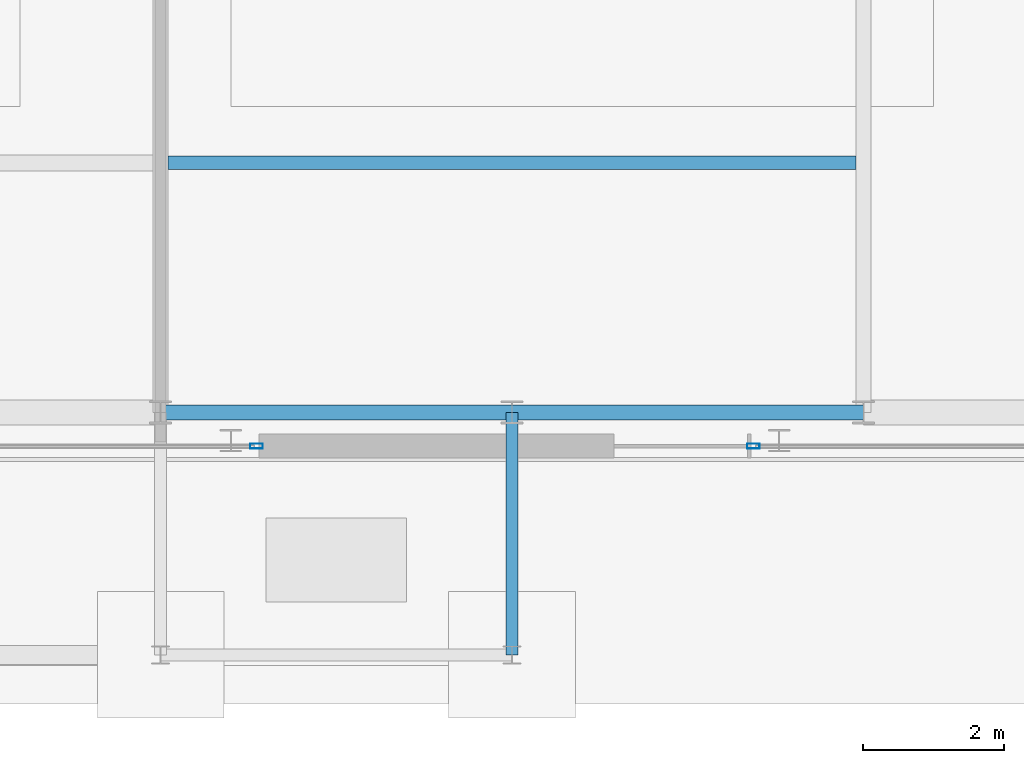
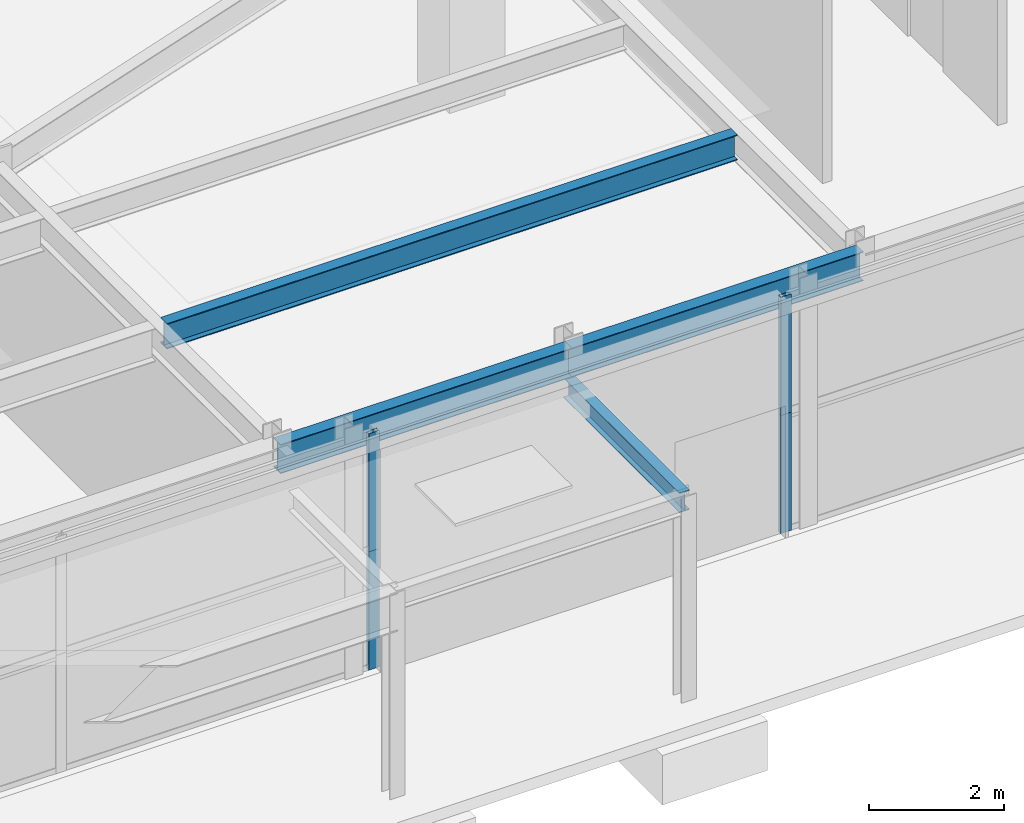
# One storey, part 14 of 29: 4 beams, 4 members, 4 elements without a shape of their own.
"""IFC4 building model written with IfcOpenShell, lengths in metres."""

from ifc_helpers import new_model, si_unit, direction, frame, origin, origin_2d, place, context, subcontext, project, spatial, hollow_rectangle, i_section, extrude, source, transform, mapped, material, layer, layer_set, material_profile, profile_set, type_object, element, aggregate, save


model = new_model("IFC4")

# Units and contexts
model_context = context("Model", 3, precision=1e-05, world=origin(), true_north=direction((0.0, 1.0)))
body_context = subcontext(model_context, "Body", "Model", "MODEL_VIEW")
ifc_project = project(units=[si_unit("LENGTHUNIT", "METRE"), si_unit("AREAUNIT", "SQUARE_METRE"), si_unit("VOLUMEUNIT", "CUBIC_METRE"), si_unit("PLANEANGLEUNIT", "RADIAN"), si_unit("MASSUNIT", "GRAM", prefix="KILO")], contexts=[model_context])

# Site, building, storey
site_placement = place(None, origin())
site = spatial("IfcSite", under=ifc_project, at=site_placement, CompositionType="ELEMENT")
building_placement = place(site_placement, origin())
building = spatial("IfcBuilding", under=site, at=building_placement, Name="Taldren Reach Tower", CompositionType="ELEMENT")
storey_placement = place(building_placement, origin())
storey = spatial("IfcBuildingStorey", under=building, at=storey_placement, Name="L00", CompositionType="ELEMENT", Elevation=0.0)

# Beams
ifc_material_1 = material(Name="Steel Gr 350 (350PLUS)", Category="steel")
ifc_material_profile_1 = material_profile(ifc_material_1, i_section(OverallWidth=0.208984375, OverallDepth=0.528076171875, WebThickness=0.009521484375, FlangeThickness=0.01318359375, at=origin_2d()), Name="530UB82.0")
ifc_profile_set_1 = profile_set([ifc_material_profile_1], Name="Steel Gr 350 (350PLUS)")
beam_type_1 = type_object("IfcBeamType", Name="SP-UB530B", PredefinedType="SPANDREL", material=ifc_profile_set_1)
shared_shape_1 = source(origin(), body_context, "Body", "SweptSolid", [
    extrude(i_section(OverallWidth=0.208984375, OverallDepth=0.528076171875, WebThickness=0.009521484375, FlangeThickness=0.01318359375, at=origin_2d()), origin(), (0.0, 0.0, 1.0), 5.0),
])
for number, where, z_axis, x_axis, name in (
    (1, (42.0, 0.64990234375, 4.02587890625), (1.0, 0.0, 0.0), (0.0, 1.0, 0.0), "Podium beam L00-PD05"),
    (2, (47.0, 0.64990234375, 4.02587890625), (1.0, 0.0, 0.0), (0.0, 1.0, 0.0), "Podium beam L00-PD06"),
):
    element("IfcBeam", number, at=place(storey_placement, frame(where, z_axis=z_axis, x_axis=x_axis)), inside=storey, type_object=beam_type_1, Name=name, PredefinedType="SPANDREL", context=body_context, shape_type="MappedRepresentation", body=[
        mapped(shared_shape_1, transform((0.0, 0.0, 0.0), scale=1.0)),
    ])
ifc_material_profile_2 = material_profile(ifc_material_1, i_section(OverallWidth=0.19091796875, OverallDepth=0.4599609375, WebThickness=0.010009765625, FlangeThickness=0.01611328125, at=origin_2d()), Name="460UB82.1")
ifc_profile_set_2 = profile_set([ifc_material_profile_2], Name="Steel Gr 350 (350PLUS)")
beam_type_2 = type_object("IfcBeamType", Name="BM-UB460A", PredefinedType="BEAM", material=ifc_profile_set_2)
shared_shape_2 = source(origin(), body_context, "Body", "SweptSolid", [
    extrude(i_section(OverallWidth=0.19091796875, OverallDepth=0.4599609375, WebThickness=0.010009765625, FlangeThickness=0.01611328125, at=origin_2d()), origin(), (0.0, 0.0, 1.0), 9.791015625),
])
beam_1_placement = place(storey_placement, frame((42.1044921875, 4.199951171875, 4.06005859375), z_axis=(1.0, 0.0, 0.0), x_axis=(0.0, 1.0, 0.0)))
element("IfcBeam", 3, at=beam_1_placement, inside=storey, type_object=beam_type_2, Name="Podium composite floor beam L00-1.3", PredefinedType="BEAM", context=body_context, shape_type="MappedRepresentation", body=[
    mapped(shared_shape_2, transform((0.0, 0.0, 0.0), scale=1.0)),
])
ifc_material_profile_3 = material_profile(ifc_material_1, i_section(OverallWidth=0.172119140625, OverallDepth=0.35888671875, WebThickness=0.008056640625, FlangeThickness=0.012939453125, at=origin_2d()), Name="360UB56.7")
ifc_profile_set_3 = profile_set([ifc_material_profile_3], Name="Steel Gr 350 (350PLUS)")
beam_type_3 = type_object("IfcBeamType", Name="SP-UB360", PredefinedType="SPANDREL", material=ifc_profile_set_3)
shared_shape_3 = source(origin(), body_context, "Body", "SweptSolid", [
    extrude(i_section(OverallWidth=0.172119140625, OverallDepth=0.35888671875, WebThickness=0.008056640625, FlangeThickness=0.012939453125, at=origin_2d()), origin(), (0.0, 0.0, 1.0), 3.449951171875),
])
beam_2_placement = place(storey_placement, frame((47.0, 0.64990234375, 3.54052734375), z_axis=(0.0, -1.0, 0.0), x_axis=(1.0, 0.0, 0.0)))
element("IfcBeam", 4, at=beam_2_placement, inside=storey, type_object=beam_type_3, Name="South canopy beam 47", PredefinedType="SPANDREL", context=body_context, shape_type="MappedRepresentation", body=[
    mapped(shared_shape_3, transform((0.0, 0.0, 0.0), scale=1.0)),
])

# Curtain wall, member
ifc_material_2 = material(Name="Aluminium and Low-E Glass Unitised System", Category="aluminium")
ifc_layer = layer(ifc_material_2, 0.159912109375)
ifc_layer_set = layer_set([ifc_layer], Name="Aluminium and Low-E Glass Unitised System")
curtain_wall_type = type_object("IfcCurtainWallType", Name="CW-SYS-1", PredefinedType="NOTDEFINED", material=ifc_layer_set)
curtain_wall_1_placement = place(storey_placement, origin())
curtain_wall_1 = element("IfcCurtainWall", 5, at=curtain_wall_1_placement, inside=storey, type_object=curtain_wall_type, Name="Unitised curtain wall CW1-L00-S2", PredefinedType="NOTDEFINED")
ifc_material_3 = material(Name="Anodised Aluminium 6063-T6", Category="aluminium")
ifc_material_profile_4 = material_profile(ifc_material_3, hollow_rectangle(XDim=0.070068359375, YDim=0.179931640625, WallThickness=0.00390625, at=origin_2d()), Name="ALU-180x70x4RHS")
ifc_profile_set_4 = profile_set([ifc_material_profile_4], Name="Anodised Aluminium 6063-T6")
member_type = type_object("IfcMemberType", Name="CW-MUL-180", PredefinedType="MULLION", material=ifc_profile_set_4)
shared_shape_4 = source(origin(), body_context, "Body", "SweptSolid", [
    extrude(hollow_rectangle(XDim=0.070068359375, YDim=0.179931640625, WallThickness=0.00390625, at=origin_2d()), origin(), (0.0, 0.0, 1.0), 2.14501953125),
])
member_1_placement = place(storey_placement, frame((43.364990234375, 0.169921875, 0.0), z_axis=(0.0, 0.0, 1.0), x_axis=(0.0, 1.0, 0.0)))
member_1 = element("IfcMember", 6, at=member_1_placement, type_object=member_type, Name="CW-1 mullion 4", PredefinedType="MULLION", context=body_context, shape_type="MappedRepresentation", body=[
    mapped(shared_shape_4, transform((0.0, 0.0, 0.0), scale=1.0)),
])
aggregate(curtain_wall_1, [member_1])

curtain_wall_2_placement = place(storey_placement, origin())
curtain_wall_2 = element("IfcCurtainWall", 7, at=curtain_wall_2_placement, inside=storey, type_object=curtain_wall_type, Name="Unitised curtain wall CW1-L00-S2-T2", PredefinedType="NOTDEFINED")
member_2_placement = place(storey_placement, frame((43.364990234375, 0.169921875, 2.14501953125), z_axis=(0.0, 0.0, 1.0), x_axis=(0.0, 1.0, 0.0)))
member_2 = element("IfcMember", 8, at=member_2_placement, type_object=member_type, Name="CW-1 mullion 4", PredefinedType="MULLION", context=body_context, shape_type="MappedRepresentation", body=[
    mapped(shared_shape_4, transform((0.0, 0.0, 0.0), scale=1.0)),
])
aggregate(curtain_wall_2, [member_2])

curtain_wall_3_placement = place(storey_placement, origin())
curtain_wall_3 = element("IfcCurtainWall", 9, at=curtain_wall_3_placement, inside=storey, type_object=curtain_wall_type, Name="Unitised curtain wall CW1-L00-S3", PredefinedType="NOTDEFINED")
member_3_placement = place(storey_placement, frame((50.43505859375, 0.169921875, 0.0), z_axis=(0.0, 0.0, 1.0), x_axis=(0.0, 1.0, 0.0)))
member_3 = element("IfcMember", 10, at=member_3_placement, type_object=member_type, Name="CW-1 mullion 1", PredefinedType="MULLION", context=body_context, shape_type="MappedRepresentation", body=[
    mapped(shared_shape_4, transform((0.0, 0.0, 0.0), scale=1.0)),
])
aggregate(curtain_wall_3, [member_3])

curtain_wall_4_placement = place(storey_placement, origin())
curtain_wall_4 = element("IfcCurtainWall", 11, at=curtain_wall_4_placement, inside=storey, type_object=curtain_wall_type, Name="Unitised curtain wall CW1-L00-S3-T2", PredefinedType="NOTDEFINED")
member_4_placement = place(storey_placement, frame((50.43505859375, 0.169921875, 2.14501953125), z_axis=(0.0, 0.0, 1.0), x_axis=(0.0, 1.0, 0.0)))
member_4 = element("IfcMember", 12, at=member_4_placement, type_object=member_type, Name="CW-1 mullion 1", PredefinedType="MULLION", context=body_context, shape_type="MappedRepresentation", body=[
    mapped(shared_shape_4, transform((0.0, 0.0, 0.0), scale=1.0)),
])
aggregate(curtain_wall_4, [member_4])

save(model, "model.ifc")
